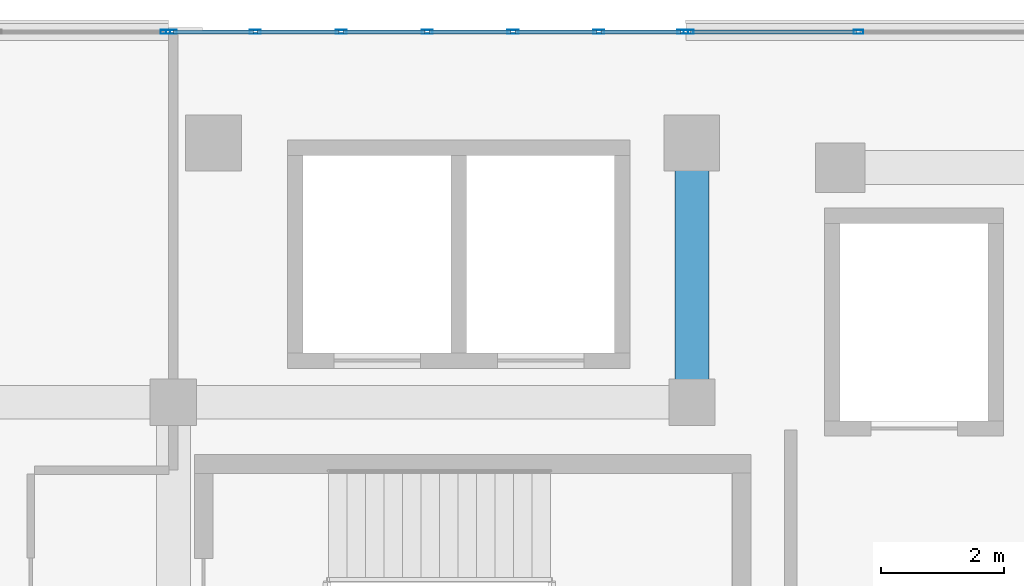
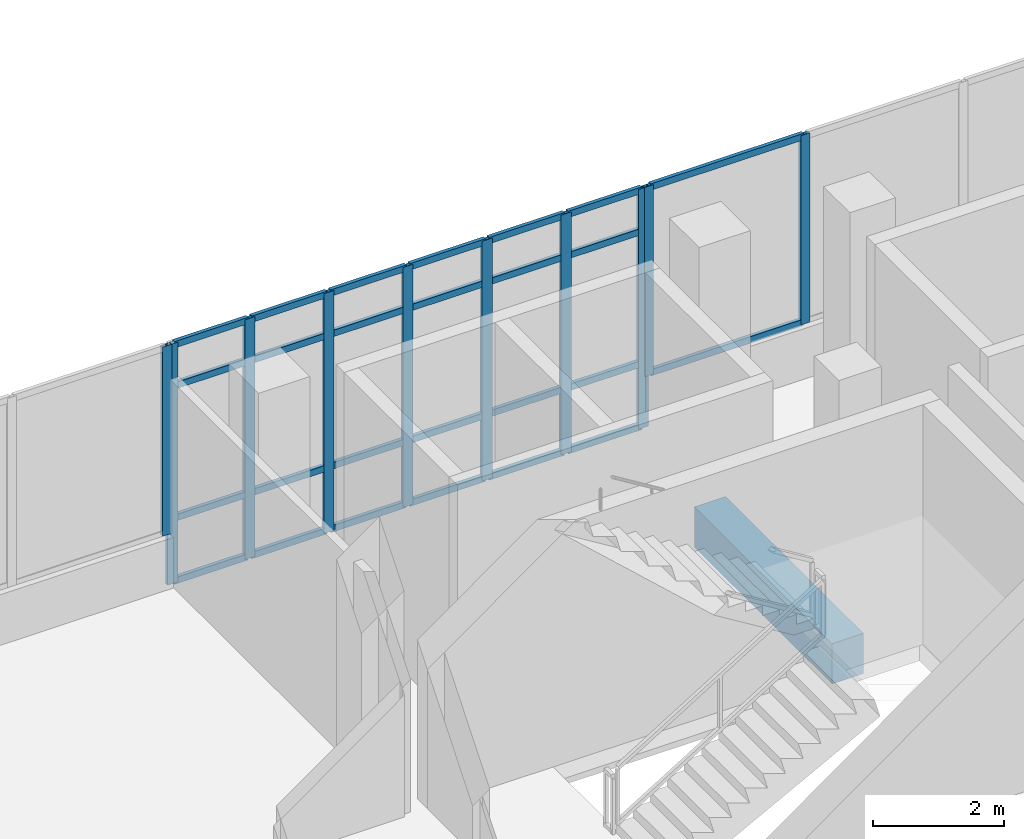
# One storey, part 71 of 155: 36 members, 1 beam, 3 elements without a shape of their own.
"""IFC4 building model written with IfcOpenShell, lengths in metres."""

from ifc_helpers import new_model, si_unit, direction, frame, origin, origin_2d, place, context, subcontext, project, spatial, rectangle, hollow_rectangle, extrude, material, material_profile, profile_set, type_object, element, aggregate, save


model = new_model("IFC4")

# Units and contexts
model_context = context("Model", 3, precision=1e-05, world=origin(), true_north=direction((0.0, 1.0)))
body_context = subcontext(model_context, "Body", "Model", "MODEL_VIEW")
ifc_project = project(units=[si_unit("LENGTHUNIT", "METRE"), si_unit("AREAUNIT", "SQUARE_METRE"), si_unit("VOLUMEUNIT", "CUBIC_METRE"), si_unit("PLANEANGLEUNIT", "RADIAN"), si_unit("MASSUNIT", "GRAM", prefix="KILO")], contexts=[model_context])

# Site, building, storey
site_placement = place(None, origin())
site = spatial("IfcSite", under=ifc_project, at=site_placement, CompositionType="ELEMENT")
building_placement = place(site_placement, origin())
building = spatial("IfcBuilding", under=site, at=building_placement, Name="Selatvlak General Hospital", CompositionType="ELEMENT")
storey_placement = place(building_placement, frame((0.0, 0.0, 10.199951171875)))
storey = spatial("IfcBuildingStorey", under=building, at=storey_placement, Name="L02", CompositionType="ELEMENT", Elevation=10.199951171875)

# Beam
ifc_material_1 = material(Name="Concrete C40/50", Category="concrete")
ifc_material_profile_1 = material_profile(ifc_material_1, rectangle(XDim=0.550048828125, YDim=0.75, at=origin_2d()), Name="RC-BM 550x750")
ifc_profile_set_1 = profile_set([ifc_material_profile_1], Name="Concrete C40/50")
beam_type = type_object("IfcBeamType", Name="BM-G02", PredefinedType="BEAM", material=ifc_profile_set_1)
beam_placement = place(storey_placement, frame((56.39990234375, 114.0, -0.72998046875), z_axis=(0.0, 1.0, 0.0), x_axis=(-1.0, 0.0, 0.0)))
element("IfcBeam", 1, at=beam_placement, inside=storey, type_object=beam_type, Name="Beam BMR-L02-0965", PredefinedType="BEAM", context=body_context, shape_type="SweptSolid", body=[
    extrude(rectangle(XDim=0.550048828125, YDim=0.75, at=origin_2d()), origin(), (0.0, 0.0, 1.0), 4.199951171875),
])

# Curtain wall, member
ifc_material_2 = material(Name="Solar-control Low-E double glazing", Category="glass")
curtain_wall_type_1 = type_object("IfcCurtainWallType", Name="CW-CW-01", PredefinedType="USERDEFINED", material=ifc_material_2)
curtain_wall_1_placement = place(storey_placement, origin())
curtain_wall_1 = element("IfcCurtainWall", 2, at=curtain_wall_1_placement, inside=storey, type_object=curtain_wall_type_1, Name="Glazed facade curtain wall CW-L02-0246", ObjectType="UNITISED CURTAIN WALL", PredefinedType="USERDEFINED")
ifc_material_3 = material(Name="Dark anodised aluminium mullion", Category="aluminium")
ifc_material_profile_2 = material_profile(ifc_material_3, hollow_rectangle(XDim=0.06494140625, YDim=0.159912109375, WallThickness=0.00390625, at=origin_2d()), Name="AL-MUL 65x160x4")
ifc_profile_set_2 = profile_set([ifc_material_profile_2], Name="Dark anodised aluminium mullion")
member_type_1 = type_object("IfcMemberType", Name="CWM-01", PredefinedType="MULLION", material=ifc_profile_set_2)
member_1_placement = place(storey_placement, frame((47.87255859375, 119.9990234375, 0.93994140625), z_axis=(0.0, 0.0, 1.0), x_axis=(0.0, 1.0, 0.0)))
member_1 = element("IfcMember", 3, at=member_1_placement, type_object=member_type_1, Name="CW-01 mullion 4", PredefinedType="MULLION", context=body_context, shape_type="SweptSolid", body=[
    extrude(hollow_rectangle(XDim=0.06494140625, YDim=0.159912109375, WallThickness=0.00390625, at=origin_2d()), origin(), (0.0, 0.0, 1.0), 3.52001953125),
])
aggregate(curtain_wall_1, [member_1])

# Curtain wall, members
curtain_wall_2_placement = place(storey_placement, origin())
curtain_wall_2 = element("IfcCurtainWall", 4, at=curtain_wall_2_placement, inside=storey, type_object=curtain_wall_type_1, Name="Glazed facade curtain wall CW-L02-0248", ObjectType="UNITISED CURTAIN WALL", PredefinedType="USERDEFINED")
member_2_placement = place(storey_placement, frame((56.347412109375, 119.9990234375, 0.93994140625), z_axis=(0.0, 0.0, 1.0), x_axis=(0.0, 1.0, 0.0)))
member_2 = element("IfcMember", 5, at=member_2_placement, type_object=member_type_1, Name="CW-01 mullion 1", PredefinedType="MULLION", context=body_context, shape_type="SweptSolid", body=[
    extrude(hollow_rectangle(XDim=0.06494140625, YDim=0.159912109375, WallThickness=0.00390625, at=origin_2d()), origin(), (0.0, 0.0, 1.0), 3.52001953125),
])
member_3_placement = place(storey_placement, frame((59.098388671875, 119.9990234375, 0.93994140625), z_axis=(0.0, 0.0, 1.0), x_axis=(0.0, 1.0, 0.0)))
member_3 = element("IfcMember", 6, at=member_3_placement, type_object=member_type_1, Name="CW-01 mullion 2", PredefinedType="MULLION", context=body_context, shape_type="SweptSolid", body=[
    extrude(hollow_rectangle(XDim=0.06494140625, YDim=0.159912109375, WallThickness=0.00390625, at=origin_2d()), origin(), (0.0, 0.0, 1.0), 3.52001953125),
])

curtain_wall_type_2 = type_object("IfcCurtainWallType", Name="CW-CW-04", PredefinedType="USERDEFINED", material=ifc_material_2)
curtain_wall_3_placement = place(storey_placement, origin())
curtain_wall_3 = element("IfcCurtainWall", 7, at=curtain_wall_3_placement, inside=storey, type_object=curtain_wall_type_2, Name="Glazed facade curtain wall CW-L02-0247", ObjectType="STICK GLAZING WALL", PredefinedType="USERDEFINED")
ifc_material_profile_3 = material_profile(ifc_material_3, hollow_rectangle(XDim=0.06494140625, YDim=0.179931640625, WallThickness=0.00439453125, at=origin_2d()), Name="AL-MUL 65x180x4.5")
ifc_profile_set_3 = profile_set([ifc_material_profile_3], Name="Dark anodised aluminium mullion")
member_type_2 = type_object("IfcMemberType", Name="CWM-02", PredefinedType="MULLION", material=ifc_profile_set_3)
member_4_placement = place(storey_placement, frame((47.967529296875, 119.9990234375, 0.0), z_axis=(0.0, 0.0, 1.0), x_axis=(0.0, 1.0, 0.0)))
member_4 = element("IfcMember", 8, at=member_4_placement, type_object=member_type_2, Name="CW-04 mullion 1", PredefinedType="MULLION", context=body_context, shape_type="SweptSolid", body=[
    extrude(hollow_rectangle(XDim=0.06494140625, YDim=0.179931640625, WallThickness=0.00439453125, at=origin_2d()), origin(), (0.0, 0.0, 1.0), 4.4599609375),
])
member_5_placement = place(storey_placement, frame((49.32666015625, 119.9990234375, 0.0), z_axis=(0.0, 0.0, 1.0), x_axis=(0.0, 1.0, 0.0)))
member_5 = element("IfcMember", 9, at=member_5_placement, type_object=member_type_2, Name="CW-04 mullion 2", PredefinedType="MULLION", context=body_context, shape_type="SweptSolid", body=[
    extrude(hollow_rectangle(XDim=0.06494140625, YDim=0.179931640625, WallThickness=0.00439453125, at=origin_2d()), origin(), (0.0, 0.0, 1.0), 4.4599609375),
])
member_6_placement = place(storey_placement, frame((50.71826171875, 119.9990234375, 0.0), z_axis=(0.0, 0.0, 1.0), x_axis=(0.0, 1.0, 0.0)))
member_6 = element("IfcMember", 10, at=member_6_placement, type_object=member_type_2, Name="CW-04 mullion 3", PredefinedType="MULLION", context=body_context, shape_type="SweptSolid", body=[
    extrude(hollow_rectangle(XDim=0.06494140625, YDim=0.179931640625, WallThickness=0.00439453125, at=origin_2d()), origin(), (0.0, 0.0, 1.0), 4.4599609375),
])
member_7_placement = place(storey_placement, frame((52.110107421875, 119.9990234375, 0.0), z_axis=(0.0, 0.0, 1.0), x_axis=(0.0, 1.0, 0.0)))
member_7 = element("IfcMember", 11, at=member_7_placement, type_object=member_type_2, Name="CW-04 mullion 4", PredefinedType="MULLION", context=body_context, shape_type="SweptSolid", body=[
    extrude(hollow_rectangle(XDim=0.06494140625, YDim=0.179931640625, WallThickness=0.00439453125, at=origin_2d()), origin(), (0.0, 0.0, 1.0), 4.4599609375),
])
member_8_placement = place(storey_placement, frame((53.501708984375, 119.9990234375, 0.0), z_axis=(0.0, 0.0, 1.0), x_axis=(0.0, 1.0, 0.0)))
member_8 = element("IfcMember", 12, at=member_8_placement, type_object=member_type_2, Name="CW-04 mullion 5", PredefinedType="MULLION", context=body_context, shape_type="SweptSolid", body=[
    extrude(hollow_rectangle(XDim=0.06494140625, YDim=0.179931640625, WallThickness=0.00439453125, at=origin_2d()), origin(), (0.0, 0.0, 1.0), 4.4599609375),
])
member_9_placement = place(storey_placement, frame((54.893310546875, 119.9990234375, 0.0), z_axis=(0.0, 0.0, 1.0), x_axis=(0.0, 1.0, 0.0)))
member_9 = element("IfcMember", 13, at=member_9_placement, type_object=member_type_2, Name="CW-04 mullion 6", PredefinedType="MULLION", context=body_context, shape_type="SweptSolid", body=[
    extrude(hollow_rectangle(XDim=0.06494140625, YDim=0.179931640625, WallThickness=0.00439453125, at=origin_2d()), origin(), (0.0, 0.0, 1.0), 4.4599609375),
])
member_10_placement = place(storey_placement, frame((56.25244140625, 119.9990234375, 0.0), z_axis=(0.0, 0.0, 1.0), x_axis=(0.0, 1.0, 0.0)))
member_10 = element("IfcMember", 14, at=member_10_placement, type_object=member_type_2, Name="CW-04 mullion 7", PredefinedType="MULLION", context=body_context, shape_type="SweptSolid", body=[
    extrude(hollow_rectangle(XDim=0.06494140625, YDim=0.179931640625, WallThickness=0.00439453125, at=origin_2d()), origin(), (0.0, 0.0, 1.0), 4.4599609375),
])
ifc_material_profile_4 = material_profile(ifc_material_3, hollow_rectangle(XDim=0.06494140625, YDim=0.1201171875, WallThickness=0.00390625, at=origin_2d()), Name="AL-TRN 65x120x4")
ifc_profile_set_4 = profile_set([ifc_material_profile_4], Name="Dark anodised aluminium mullion")
member_type_3 = type_object("IfcMemberType", Name="CWT-01", PredefinedType="USERDEFINED", material=ifc_profile_set_4)
member_11_placement = place(storey_placement, frame((48.0, 119.9990234375, 0.032470703125), z_axis=(1.0, 0.0, 0.0), x_axis=(0.0, 1.0, 0.0)))
member_11 = element("IfcMember", 15, at=member_11_placement, type_object=member_type_3, Name="CW-04 transom 1.1", ObjectType="TRANSOM", PredefinedType="USERDEFINED", context=body_context, shape_type="SweptSolid", body=[
    extrude(hollow_rectangle(XDim=0.06494140625, YDim=0.1201171875, WallThickness=0.00390625, at=origin_2d()), origin(), (0.0, 0.0, 1.0), 1.294189453125),
])
member_12_placement = place(storey_placement, frame((48.0, 119.9990234375, 1.199951171875), z_axis=(1.0, 0.0, 0.0), x_axis=(0.0, 1.0, 0.0)))
member_12 = element("IfcMember", 16, at=member_12_placement, type_object=member_type_3, Name="CW-04 transom 1.2", ObjectType="TRANSOM", PredefinedType="USERDEFINED", context=body_context, shape_type="SweptSolid", body=[
    extrude(hollow_rectangle(XDim=0.06494140625, YDim=0.1201171875, WallThickness=0.00390625, at=origin_2d()), origin(), (0.0, 0.0, 1.0), 1.294189453125),
])
member_13_placement = place(storey_placement, frame((48.0, 119.9990234375, 3.66015625), z_axis=(1.0, 0.0, 0.0), x_axis=(0.0, 1.0, 0.0)))
member_13 = element("IfcMember", 17, at=member_13_placement, type_object=member_type_3, Name="CW-04 transom 1.3", ObjectType="TRANSOM", PredefinedType="USERDEFINED", context=body_context, shape_type="SweptSolid", body=[
    extrude(hollow_rectangle(XDim=0.06494140625, YDim=0.1201171875, WallThickness=0.00390625, at=origin_2d()), origin(), (0.0, 0.0, 1.0), 1.294189453125),
])
member_14_placement = place(storey_placement, frame((48.0, 119.9990234375, 4.427490234375), z_axis=(1.0, 0.0, 0.0), x_axis=(0.0, 1.0, 0.0)))
member_14 = element("IfcMember", 18, at=member_14_placement, type_object=member_type_3, Name="CW-04 transom 1.4", ObjectType="TRANSOM", PredefinedType="USERDEFINED", context=body_context, shape_type="SweptSolid", body=[
    extrude(hollow_rectangle(XDim=0.06494140625, YDim=0.1201171875, WallThickness=0.00390625, at=origin_2d()), origin(), (0.0, 0.0, 1.0), 1.294189453125),
])
member_15_placement = place(storey_placement, frame((49.359130859375, 119.9990234375, 0.032470703125), z_axis=(1.0, 0.0, 0.0), x_axis=(0.0, 1.0, 0.0)))
member_15 = element("IfcMember", 19, at=member_15_placement, type_object=member_type_3, Name="CW-04 transom 2.1", ObjectType="TRANSOM", PredefinedType="USERDEFINED", context=body_context, shape_type="SweptSolid", body=[
    extrude(hollow_rectangle(XDim=0.06494140625, YDim=0.1201171875, WallThickness=0.00390625, at=origin_2d()), origin(), (0.0, 0.0, 1.0), 1.32666015625),
])
member_16_placement = place(storey_placement, frame((49.359130859375, 119.9990234375, 1.199951171875), z_axis=(1.0, 0.0, 0.0), x_axis=(0.0, 1.0, 0.0)))
member_16 = element("IfcMember", 20, at=member_16_placement, type_object=member_type_3, Name="CW-04 transom 2.2", ObjectType="TRANSOM", PredefinedType="USERDEFINED", context=body_context, shape_type="SweptSolid", body=[
    extrude(hollow_rectangle(XDim=0.06494140625, YDim=0.1201171875, WallThickness=0.00390625, at=origin_2d()), origin(), (0.0, 0.0, 1.0), 1.32666015625),
])
member_17_placement = place(storey_placement, frame((49.359130859375, 119.9990234375, 3.66015625), z_axis=(1.0, 0.0, 0.0), x_axis=(0.0, 1.0, 0.0)))
member_17 = element("IfcMember", 21, at=member_17_placement, type_object=member_type_3, Name="CW-04 transom 2.3", ObjectType="TRANSOM", PredefinedType="USERDEFINED", context=body_context, shape_type="SweptSolid", body=[
    extrude(hollow_rectangle(XDim=0.06494140625, YDim=0.1201171875, WallThickness=0.00390625, at=origin_2d()), origin(), (0.0, 0.0, 1.0), 1.32666015625),
])
member_18_placement = place(storey_placement, frame((49.359130859375, 119.9990234375, 4.427490234375), z_axis=(1.0, 0.0, 0.0), x_axis=(0.0, 1.0, 0.0)))
member_18 = element("IfcMember", 22, at=member_18_placement, type_object=member_type_3, Name="CW-04 transom 2.4", ObjectType="TRANSOM", PredefinedType="USERDEFINED", context=body_context, shape_type="SweptSolid", body=[
    extrude(hollow_rectangle(XDim=0.06494140625, YDim=0.1201171875, WallThickness=0.00390625, at=origin_2d()), origin(), (0.0, 0.0, 1.0), 1.32666015625),
])
member_19_placement = place(storey_placement, frame((50.750732421875, 119.9990234375, 0.032470703125), z_axis=(1.0, 0.0, 0.0), x_axis=(0.0, 1.0, 0.0)))
member_19 = element("IfcMember", 23, at=member_19_placement, type_object=member_type_3, Name="CW-04 transom 3.1", ObjectType="TRANSOM", PredefinedType="USERDEFINED", context=body_context, shape_type="SweptSolid", body=[
    extrude(hollow_rectangle(XDim=0.06494140625, YDim=0.1201171875, WallThickness=0.00390625, at=origin_2d()), origin(), (0.0, 0.0, 1.0), 1.32666015625),
])
member_20_placement = place(storey_placement, frame((50.750732421875, 119.9990234375, 1.199951171875), z_axis=(1.0, 0.0, 0.0), x_axis=(0.0, 1.0, 0.0)))
member_20 = element("IfcMember", 24, at=member_20_placement, type_object=member_type_3, Name="CW-04 transom 3.2", ObjectType="TRANSOM", PredefinedType="USERDEFINED", context=body_context, shape_type="SweptSolid", body=[
    extrude(hollow_rectangle(XDim=0.06494140625, YDim=0.1201171875, WallThickness=0.00390625, at=origin_2d()), origin(), (0.0, 0.0, 1.0), 1.32666015625),
])
member_21_placement = place(storey_placement, frame((50.750732421875, 119.9990234375, 3.66015625), z_axis=(1.0, 0.0, 0.0), x_axis=(0.0, 1.0, 0.0)))
member_21 = element("IfcMember", 25, at=member_21_placement, type_object=member_type_3, Name="CW-04 transom 3.3", ObjectType="TRANSOM", PredefinedType="USERDEFINED", context=body_context, shape_type="SweptSolid", body=[
    extrude(hollow_rectangle(XDim=0.06494140625, YDim=0.1201171875, WallThickness=0.00390625, at=origin_2d()), origin(), (0.0, 0.0, 1.0), 1.32666015625),
])
member_22_placement = place(storey_placement, frame((50.750732421875, 119.9990234375, 4.427490234375), z_axis=(1.0, 0.0, 0.0), x_axis=(0.0, 1.0, 0.0)))
member_22 = element("IfcMember", 26, at=member_22_placement, type_object=member_type_3, Name="CW-04 transom 3.4", ObjectType="TRANSOM", PredefinedType="USERDEFINED", context=body_context, shape_type="SweptSolid", body=[
    extrude(hollow_rectangle(XDim=0.06494140625, YDim=0.1201171875, WallThickness=0.00390625, at=origin_2d()), origin(), (0.0, 0.0, 1.0), 1.32666015625),
])
member_23_placement = place(storey_placement, frame((52.142578125, 119.9990234375, 0.032470703125), z_axis=(1.0, 0.0, 0.0), x_axis=(0.0, 1.0, 0.0)))
member_23 = element("IfcMember", 27, at=member_23_placement, type_object=member_type_3, Name="CW-04 transom 4.1", ObjectType="TRANSOM", PredefinedType="USERDEFINED", context=body_context, shape_type="SweptSolid", body=[
    extrude(hollow_rectangle(XDim=0.06494140625, YDim=0.1201171875, WallThickness=0.00390625, at=origin_2d()), origin(), (0.0, 0.0, 1.0), 1.32666015625),
])
member_24_placement = place(storey_placement, frame((52.142578125, 119.9990234375, 1.199951171875), z_axis=(1.0, 0.0, 0.0), x_axis=(0.0, 1.0, 0.0)))
member_24 = element("IfcMember", 28, at=member_24_placement, type_object=member_type_3, Name="CW-04 transom 4.2", ObjectType="TRANSOM", PredefinedType="USERDEFINED", context=body_context, shape_type="SweptSolid", body=[
    extrude(hollow_rectangle(XDim=0.06494140625, YDim=0.1201171875, WallThickness=0.00390625, at=origin_2d()), origin(), (0.0, 0.0, 1.0), 1.32666015625),
])
member_25_placement = place(storey_placement, frame((52.142578125, 119.9990234375, 3.66015625), z_axis=(1.0, 0.0, 0.0), x_axis=(0.0, 1.0, 0.0)))
member_25 = element("IfcMember", 29, at=member_25_placement, type_object=member_type_3, Name="CW-04 transom 4.3", ObjectType="TRANSOM", PredefinedType="USERDEFINED", context=body_context, shape_type="SweptSolid", body=[
    extrude(hollow_rectangle(XDim=0.06494140625, YDim=0.1201171875, WallThickness=0.00390625, at=origin_2d()), origin(), (0.0, 0.0, 1.0), 1.32666015625),
])
member_26_placement = place(storey_placement, frame((52.142578125, 119.9990234375, 4.427490234375), z_axis=(1.0, 0.0, 0.0), x_axis=(0.0, 1.0, 0.0)))
member_26 = element("IfcMember", 30, at=member_26_placement, type_object=member_type_3, Name="CW-04 transom 4.4", ObjectType="TRANSOM", PredefinedType="USERDEFINED", context=body_context, shape_type="SweptSolid", body=[
    extrude(hollow_rectangle(XDim=0.06494140625, YDim=0.1201171875, WallThickness=0.00390625, at=origin_2d()), origin(), (0.0, 0.0, 1.0), 1.32666015625),
])
member_27_placement = place(storey_placement, frame((53.5341796875, 119.9990234375, 0.032470703125), z_axis=(1.0, 0.0, 0.0), x_axis=(0.0, 1.0, 0.0)))
member_27 = element("IfcMember", 31, at=member_27_placement, type_object=member_type_3, Name="CW-04 transom 5.1", ObjectType="TRANSOM", PredefinedType="USERDEFINED", context=body_context, shape_type="SweptSolid", body=[
    extrude(hollow_rectangle(XDim=0.06494140625, YDim=0.1201171875, WallThickness=0.00390625, at=origin_2d()), origin(), (0.0, 0.0, 1.0), 1.32666015625),
])
member_28_placement = place(storey_placement, frame((53.5341796875, 119.9990234375, 1.199951171875), z_axis=(1.0, 0.0, 0.0), x_axis=(0.0, 1.0, 0.0)))
member_28 = element("IfcMember", 32, at=member_28_placement, type_object=member_type_3, Name="CW-04 transom 5.2", ObjectType="TRANSOM", PredefinedType="USERDEFINED", context=body_context, shape_type="SweptSolid", body=[
    extrude(hollow_rectangle(XDim=0.06494140625, YDim=0.1201171875, WallThickness=0.00390625, at=origin_2d()), origin(), (0.0, 0.0, 1.0), 1.32666015625),
])
member_29_placement = place(storey_placement, frame((53.5341796875, 119.9990234375, 3.66015625), z_axis=(1.0, 0.0, 0.0), x_axis=(0.0, 1.0, 0.0)))
member_29 = element("IfcMember", 33, at=member_29_placement, type_object=member_type_3, Name="CW-04 transom 5.3", ObjectType="TRANSOM", PredefinedType="USERDEFINED", context=body_context, shape_type="SweptSolid", body=[
    extrude(hollow_rectangle(XDim=0.06494140625, YDim=0.1201171875, WallThickness=0.00390625, at=origin_2d()), origin(), (0.0, 0.0, 1.0), 1.32666015625),
])
member_30_placement = place(storey_placement, frame((53.5341796875, 119.9990234375, 4.427490234375), z_axis=(1.0, 0.0, 0.0), x_axis=(0.0, 1.0, 0.0)))
member_30 = element("IfcMember", 34, at=member_30_placement, type_object=member_type_3, Name="CW-04 transom 5.4", ObjectType="TRANSOM", PredefinedType="USERDEFINED", context=body_context, shape_type="SweptSolid", body=[
    extrude(hollow_rectangle(XDim=0.06494140625, YDim=0.1201171875, WallThickness=0.00390625, at=origin_2d()), origin(), (0.0, 0.0, 1.0), 1.32666015625),
])
member_31_placement = place(storey_placement, frame((54.92578125, 119.9990234375, 0.032470703125), z_axis=(1.0, 0.0, 0.0), x_axis=(0.0, 1.0, 0.0)))
member_31 = element("IfcMember", 35, at=member_31_placement, type_object=member_type_3, Name="CW-04 transom 6.1", ObjectType="TRANSOM", PredefinedType="USERDEFINED", context=body_context, shape_type="SweptSolid", body=[
    extrude(hollow_rectangle(XDim=0.06494140625, YDim=0.1201171875, WallThickness=0.00390625, at=origin_2d()), origin(), (0.0, 0.0, 1.0), 1.294189453125),
])
member_32_placement = place(storey_placement, frame((54.92578125, 119.9990234375, 1.199951171875), z_axis=(1.0, 0.0, 0.0), x_axis=(0.0, 1.0, 0.0)))
member_32 = element("IfcMember", 36, at=member_32_placement, type_object=member_type_3, Name="CW-04 transom 6.2", ObjectType="TRANSOM", PredefinedType="USERDEFINED", context=body_context, shape_type="SweptSolid", body=[
    extrude(hollow_rectangle(XDim=0.06494140625, YDim=0.1201171875, WallThickness=0.00390625, at=origin_2d()), origin(), (0.0, 0.0, 1.0), 1.294189453125),
])
member_33_placement = place(storey_placement, frame((54.92578125, 119.9990234375, 3.66015625), z_axis=(1.0, 0.0, 0.0), x_axis=(0.0, 1.0, 0.0)))
member_33 = element("IfcMember", 37, at=member_33_placement, type_object=member_type_3, Name="CW-04 transom 6.3", ObjectType="TRANSOM", PredefinedType="USERDEFINED", context=body_context, shape_type="SweptSolid", body=[
    extrude(hollow_rectangle(XDim=0.06494140625, YDim=0.1201171875, WallThickness=0.00390625, at=origin_2d()), origin(), (0.0, 0.0, 1.0), 1.294189453125),
])
member_34_placement = place(storey_placement, frame((54.92578125, 119.9990234375, 4.427490234375), z_axis=(1.0, 0.0, 0.0), x_axis=(0.0, 1.0, 0.0)))
member_34 = element("IfcMember", 38, at=member_34_placement, type_object=member_type_3, Name="CW-04 transom 6.4", ObjectType="TRANSOM", PredefinedType="USERDEFINED", context=body_context, shape_type="SweptSolid", body=[
    extrude(hollow_rectangle(XDim=0.06494140625, YDim=0.1201171875, WallThickness=0.00390625, at=origin_2d()), origin(), (0.0, 0.0, 1.0), 1.294189453125),
])
aggregate(curtain_wall_3, [member_4, member_5, member_6, member_7, member_8, member_9, member_10, member_11, member_12, member_13, member_14, member_15, member_16, member_17, member_18, member_19, member_20, member_21, member_22, member_23, member_24, member_25, member_26, member_27, member_28, member_29, member_30, member_31, member_32, member_33, member_34])

# Member
member_35_placement = place(storey_placement, frame((56.3798828125, 119.9990234375, 0.97265625), z_axis=(1.0, 0.0, 0.0), x_axis=(0.0, 1.0, 0.0)))
member_35 = element("IfcMember", 39, at=member_35_placement, type_object=member_type_3, Name="CW-01 transom 1.1", ObjectType="TRANSOM", PredefinedType="USERDEFINED", context=body_context, shape_type="SweptSolid", body=[
    extrude(hollow_rectangle(XDim=0.06494140625, YDim=0.1201171875, WallThickness=0.00390625, at=origin_2d()), origin(), (0.0, 0.0, 1.0), 2.68603515625),
])

member_36_placement = place(storey_placement, frame((56.3798828125, 119.9990234375, 4.427490234375), z_axis=(1.0, 0.0, 0.0), x_axis=(0.0, 1.0, 0.0)))
member_36 = element("IfcMember", 40, at=member_36_placement, type_object=member_type_3, Name="CW-01 transom 1.2", ObjectType="TRANSOM", PredefinedType="USERDEFINED", context=body_context, shape_type="SweptSolid", body=[
    extrude(hollow_rectangle(XDim=0.06494140625, YDim=0.1201171875, WallThickness=0.00390625, at=origin_2d()), origin(), (0.0, 0.0, 1.0), 2.68603515625),
])

aggregate(curtain_wall_2, [member_2, member_3, member_35, member_36])

save(model, "model.ifc")
